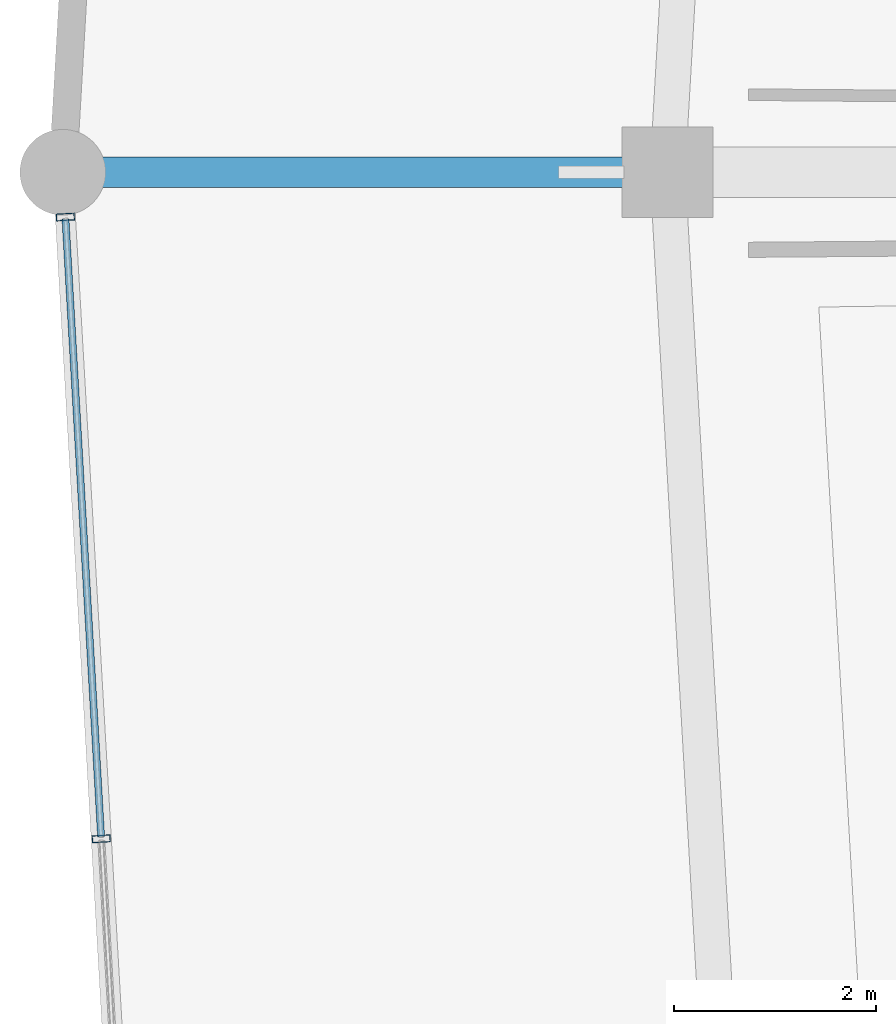
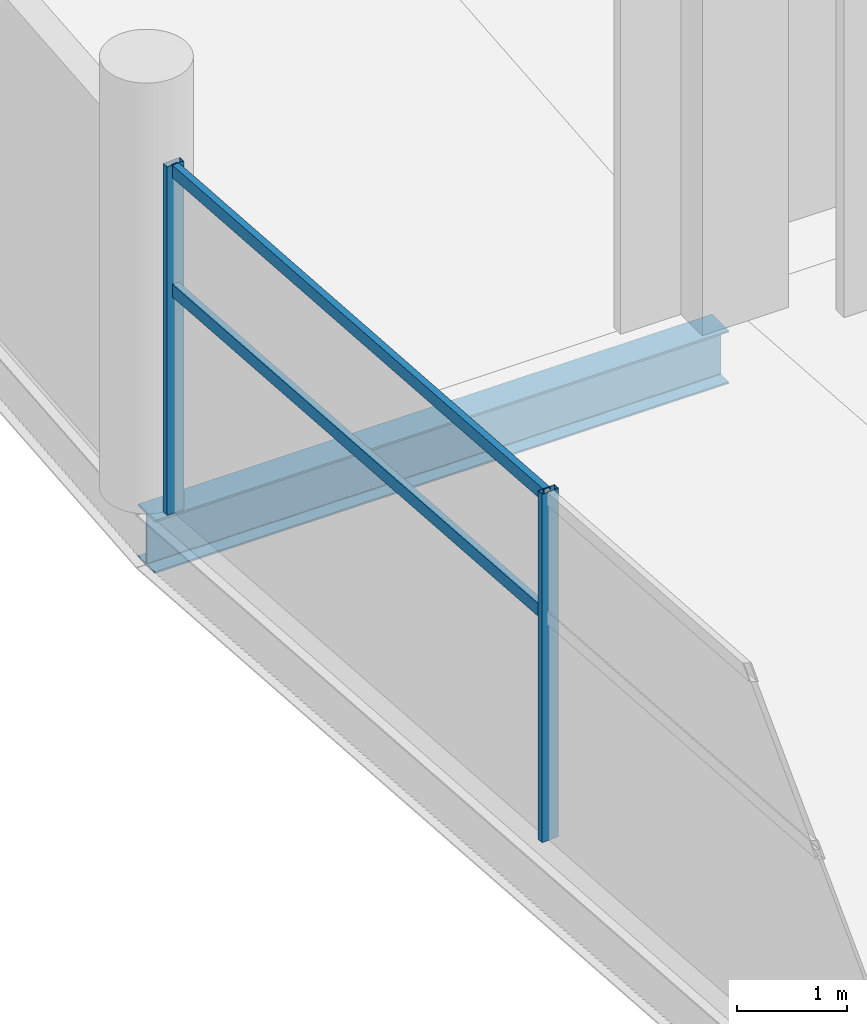
# One storey, part 29 of 156: 4 members, 1 beam, 1 element without a shape of its own.
"""IFC4 building model written with IfcOpenShell, lengths in metres."""

from ifc_helpers import new_model, si_unit, direction, frame, origin, origin_2d, place, context, subcontext, project, spatial, hollow_rectangle, i_section, extrude, material, layer, layer_set, material_profile, profile_set, type_object, element, aggregate, save


model = new_model("IFC4")

# Units and contexts
model_context = context("Model", 3, precision=1e-05, world=origin(), true_north=direction((0.0, 1.0)))
body_context = subcontext(model_context, "Body", "Model", "MODEL_VIEW")
ifc_project = project(units=[si_unit("LENGTHUNIT", "METRE"), si_unit("AREAUNIT", "SQUARE_METRE"), si_unit("VOLUMEUNIT", "CUBIC_METRE"), si_unit("PLANEANGLEUNIT", "RADIAN"), si_unit("MASSUNIT", "GRAM", prefix="KILO")], contexts=[model_context])

# Site, building, storey
site_placement = place(None, origin())
site = spatial("IfcSite", under=ifc_project, at=site_placement, CompositionType="ELEMENT")
building_placement = place(site_placement, origin())
building = spatial("IfcBuilding", under=site, at=building_placement, Name="Kazemori Nagisa Stadium", CompositionType="ELEMENT")
storey_placement = place(building_placement, frame((0.0, 0.0, 5.780029296875)))
storey = spatial("IfcBuildingStorey", under=building, at=storey_placement, Name="L01", CompositionType="ELEMENT", Elevation=5.780029296875)

# Beam
ifc_material_1 = material(Name="Steel SN490B", Category="steel")
ifc_material_profile_1 = material_profile(ifc_material_1, i_section(OverallWidth=0.300048828125, OverallDepth=0.587890625, WebThickness=0.011962890625, FlangeThickness=0.02001953125, FilletRadius=0.012939453125, at=origin_2d()), Name="H-588x300x12x20")
ifc_profile_set_1 = profile_set([ifc_material_profile_1], Name="Steel SN490B")
beam_type = type_object("IfcBeamType", Name="Beam_BG-H588", PredefinedType="BEAM", material=ifc_profile_set_1)
beam_placement = place(storey_placement, frame((28.0, 102.0, -0.573974609375), z_axis=(-1.0, 0.0, 0.0), x_axis=(0.0, -1.0, 0.0)))
element("IfcBeam", 1, at=beam_placement, inside=storey, type_object=beam_type, Name="Boulevard radial girder BG-H588 L01 R4-15", PredefinedType="BEAM", context=body_context, shape_type="SweptSolid", body=[
    extrude(i_section(OverallWidth=0.300048828125, OverallDepth=0.587890625, WebThickness=0.011962890625, FlangeThickness=0.02001953125, FilletRadius=0.012939453125, at=origin_2d()), origin(), (0.0, 0.0, 1.0), 6.0),
])

# Curtain wall, members
ifc_material_2 = material(Name="Anodised aluminium 6063-T5", Category="aluminium")
ifc_layer = layer(ifc_material_2, 0.179931640625, Name="Anodised aluminium 6063-T5", Category="aluminium")
ifc_layer_set = layer_set([ifc_layer], Name="Anodised aluminium 6063-T5")
curtain_wall_type = type_object("IfcCurtainWallType", Name="CW_L01R3_93", PredefinedType="USERDEFINED", material=ifc_layer_set)
curtain_wall_placement = place(storey_placement, origin())
curtain_wall = element("IfcCurtainWall", 2, at=curtain_wall_placement, inside=storey, type_object=curtain_wall_type, Name="Unitised curtain wall CW-L01R3-93 L01", ObjectType="UNITISED CURTAIN WALL", PredefinedType="USERDEFINED")
ifc_material_3 = material(Name="Aluminium 6063-T5 anodised", Category="aluminium")
ifc_material_profile_2 = material_profile(ifc_material_3, hollow_rectangle(XDim=0.070068359375, YDim=0.179931640625, WallThickness=0.00390625, at=origin_2d()), Name="ALU-MULL-70x180x4")
ifc_profile_set_2 = profile_set([ifc_material_profile_2], Name="Aluminium 6063-T5 anodised")
member_type_1 = type_object("IfcMemberType", Name="Mullion_M01", PredefinedType="MULLION", material=ifc_profile_set_2)
member_1_placement = place(storey_placement, frame((22.025634765625, 101.5556640625, 0.0), z_axis=(0.0, 0.0, 1.0), x_axis=(0.057601670941, -0.998339645364, 0.0)))
member_1 = element("IfcMember", 3, at=member_1_placement, type_object=member_type_1, Name="Curtain wall mullion CW-L01R3-93-M1", PredefinedType="MULLION", context=body_context, shape_type="SweptSolid", body=[
    extrude(hollow_rectangle(XDim=0.070068359375, YDim=0.179931640625, WallThickness=0.00390625, at=origin_2d()), origin(), (0.0, 0.0, 1.0), 3.849853515625),
])
member_2_placement = place(storey_placement, frame((22.381591796875, 95.385986328125, 0.0), z_axis=(0.0, 0.0, 1.0), x_axis=(0.057601670941, -0.998339645364, 0.0)))
member_2 = element("IfcMember", 4, at=member_2_placement, type_object=member_type_1, Name="Curtain wall mullion CW-L01R3-93-M2", PredefinedType="MULLION", context=body_context, shape_type="SweptSolid", body=[
    extrude(hollow_rectangle(XDim=0.070068359375, YDim=0.179931640625, WallThickness=0.00390625, at=origin_2d()), origin(), (0.0, 0.0, 1.0), 3.849853515625),
])
ifc_material_profile_3 = material_profile(ifc_material_3, hollow_rectangle(XDim=0.070068359375, YDim=0.139892578125, WallThickness=0.00390625, at=origin_2d()), Name="ALU-TRAN-70x140x4")
ifc_profile_set_3 = profile_set([ifc_material_profile_3], Name="Aluminium 6063-T5 anodised")
member_type_2 = type_object("IfcMemberType", Name="Transom_T01", PredefinedType="USERDEFINED", material=ifc_profile_set_3)
member_3_placement = place(storey_placement, frame((22.02685546875, 101.535888671875, 2.4638671875), z_axis=(0.057575195868, -0.998341172556, 0.0), x_axis=(0.998341172556, 0.057575195868, 0.0)))
member_3 = element("IfcMember", 5, at=member_3_placement, type_object=member_type_2, Name="Curtain wall transom CW-L01R3-93-T1-mid", ObjectType="TRANSOM", PredefinedType="USERDEFINED", context=body_context, shape_type="SweptSolid", body=[
    extrude(hollow_rectangle(XDim=0.070068359375, YDim=0.139892578125, WallThickness=0.00390625, at=origin_2d()), origin(), (0.0, 0.0, 1.0), 6.14013671875),
])
member_4_placement = place(storey_placement, frame((22.02685546875, 101.535888671875, 3.780029296875), z_axis=(0.057575195868, -0.998341172556, 0.0), x_axis=(0.998341172556, 0.057575195868, 0.0)))
member_4 = element("IfcMember", 6, at=member_4_placement, type_object=member_type_2, Name="Curtain wall transom CW-L01R3-93-T1-head", ObjectType="TRANSOM", PredefinedType="USERDEFINED", context=body_context, shape_type="SweptSolid", body=[
    extrude(hollow_rectangle(XDim=0.070068359375, YDim=0.139892578125, WallThickness=0.00390625, at=origin_2d()), origin(), (0.0, 0.0, 1.0), 6.14013671875),
])
aggregate(curtain_wall, [member_1, member_2, member_3, member_4])

save(model, "model.ifc")
